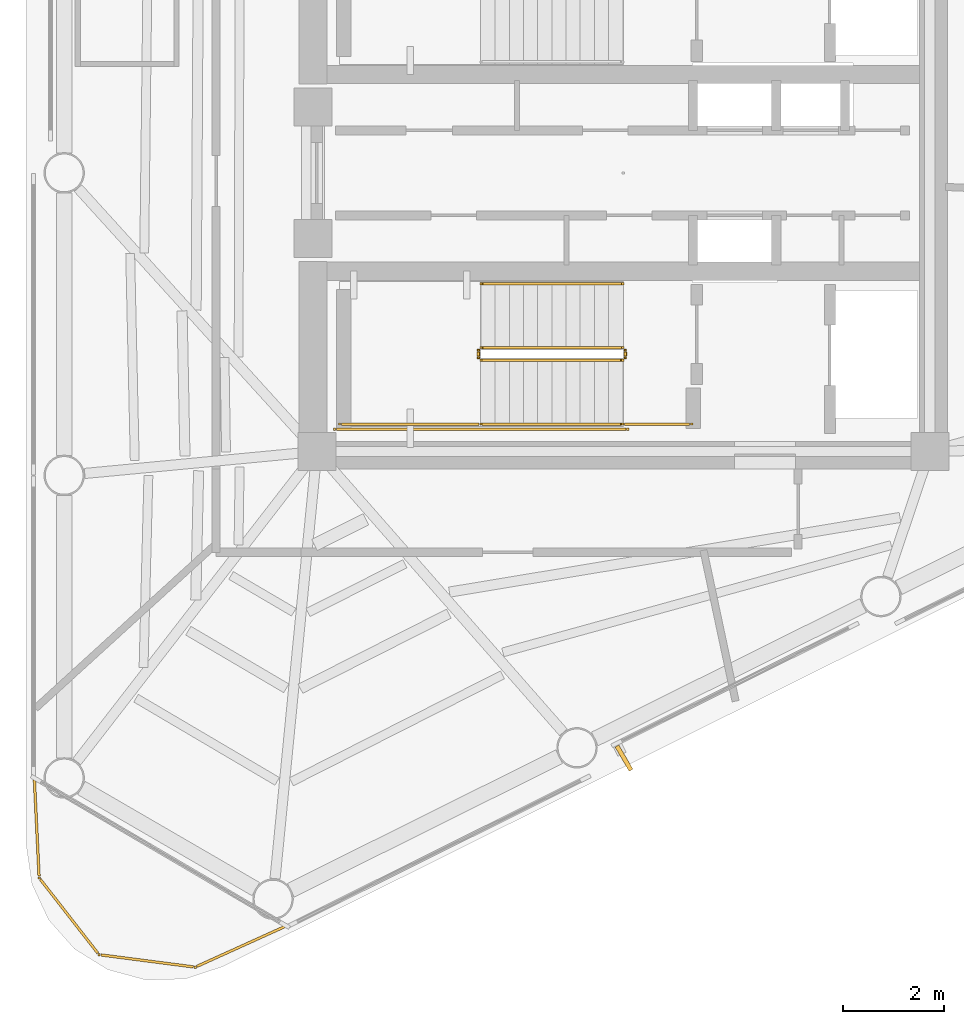
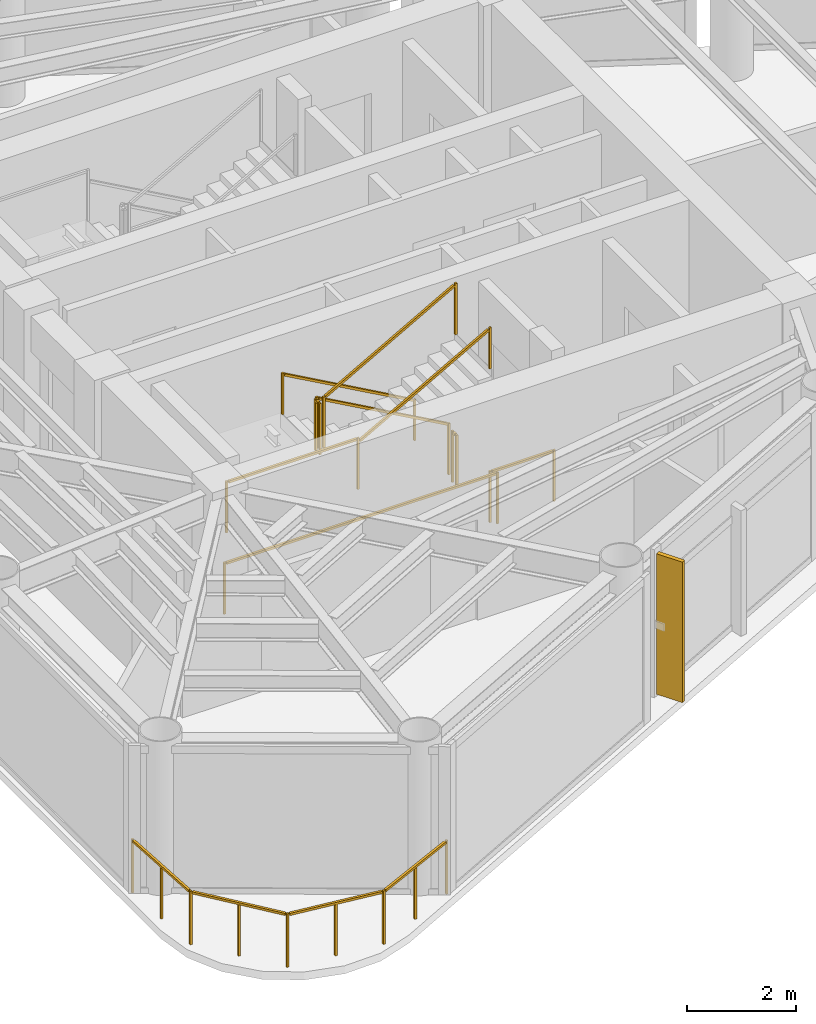
# One storey, part 7 of 10: 10 railings, 1 shading device.
"""IFC4 building model written with IfcOpenShell, lengths in metres."""

from ifc_helpers import new_model, si_unit, direction, frame, origin, origin_2d, place, context, subcontext, project, spatial, rectangle, extrude, source, transform, mapped, material, material_profile, profile_set, type_object, element, save


model = new_model("IFC4")

# Units and contexts
model_context = context("Model", 3, precision=1e-05, world=origin(), true_north=direction((0.0, 1.0)))
body_context = subcontext(model_context, "Body", "Model", "MODEL_VIEW")
ifc_project = project(units=[si_unit("LENGTHUNIT", "METRE"), si_unit("AREAUNIT", "SQUARE_METRE"), si_unit("VOLUMEUNIT", "CUBIC_METRE"), si_unit("PLANEANGLEUNIT", "RADIAN"), si_unit("MASSUNIT", "GRAM", prefix="KILO")], contexts=[model_context])

# Site, building, storey
site_placement = place(None, origin())
site = spatial("IfcSite", under=ifc_project, at=site_placement, CompositionType="ELEMENT")
building_placement = place(site_placement, origin())
building = spatial("IfcBuilding", under=site, at=building_placement, Name="Yunling Apex Tower", CompositionType="ELEMENT")
storey_placement = place(building_placement, frame((0.0, 0.0, 296.75)))
storey = spatial("IfcBuildingStorey", under=building, at=storey_placement, Name="L72", CompositionType="ELEMENT", Elevation=296.75)

# Railings
ifc_material_1 = material(Name="Bronze anodised aluminium", Category="aluminium")
railing_type_1 = type_object("IfcRailingType", Name="RL-BAL-1200", PredefinedType="BALUSTRADE", material=ifc_material_1)
railing_1_placement = place(storey_placement, frame((-6.651123046875, -14.864990234375, 0.0)))
element("IfcRailing", 1, at=railing_1_placement, inside=storey, type_object=railing_type_1, Name="RL-CRNSILL-L72-3", PredefinedType="BALUSTRADE", context=body_context, shape_type="SweptSolid", body=[
    extrude(rectangle(XDim=0.0439453125, YDim=0.0439453125, at=origin_2d()), origin(), (0.0, 0.0, 1.0), 1.199951171875),
    extrude(rectangle(XDim=0.0439453125, YDim=0.0439453125, at=origin_2d()), frame((-1.799560546875, -0.814697265625, 0.0)), (0.0, 0.0, 1.0), 1.199951171875),
    extrude(rectangle(XDim=0.050048828125, YDim=0.050048828125, at=origin_2d()), frame((-0.034912109375, -0.015869140625, 1.1748046875), z_axis=(-0.910991856267, -0.412424341929, 0.0), x_axis=(0.412424341929, -0.910991856267, 0.0)), (0.0, 0.0, 1.0), 1.898681640625),
    extrude(rectangle(XDim=0.0439453125, YDim=0.0439453125, at=origin_2d()), frame((-0.89990234375, -0.4072265625, 0.0)), (0.0, 0.0, 1.0), 1.14599609375),
    extrude(rectangle(XDim=0.0439453125, YDim=0.0439453125, at=origin_2d()), frame((-3.69921875, -0.568603515625, 0.0)), (0.0, 0.0, 1.0), 1.199951171875),
    extrude(rectangle(XDim=0.050048828125, YDim=0.050048828125, at=origin_2d()), frame((-1.837646484375, -0.809814453125, 1.1748046875), z_axis=(-0.991713034877, 0.128472784881, 0.0), x_axis=(-0.128472784881, -0.991713034877, 0.0)), (0.0, 0.0, 1.0), 1.8388671875),
    extrude(rectangle(XDim=0.0439453125, YDim=0.0439453125, at=origin_2d()), frame((-2.74951171875, -0.691650390625, 0.0)), (0.0, 0.0, 1.0), 1.14599609375),
    extrude(rectangle(XDim=0.0439453125, YDim=0.0439453125, at=origin_2d()), frame((-4.880126953125, 0.947265625, 0.0)), (0.0, 0.0, 1.0), 1.199951171875),
    extrude(rectangle(XDim=0.050048828125, YDim=0.050048828125, at=origin_2d()), frame((-3.72265625, -0.538330078125, 1.1748046875), z_axis=(-0.61455614591, 0.788873084548, 0.0), x_axis=(-0.788873084548, -0.61455614591, 0.0)), (0.0, 0.0, 1.0), 1.844970703125),
    extrude(rectangle(XDim=0.0439453125, YDim=0.0439453125, at=origin_2d()), frame((-4.28955078125, 0.189453125, 0.0)), (0.0, 0.0, 1.0), 1.14599609375),
    extrude(rectangle(XDim=0.0439453125, YDim=0.0439453125, at=origin_2d()), frame((-4.97607421875, 2.919677734375, 0.0)), (0.0, 0.0, 1.0), 1.199951171875),
    extrude(rectangle(XDim=0.050048828125, YDim=0.050048828125, at=origin_2d()), frame((-4.882080078125, 0.985595703125, 1.1748046875), z_axis=(-0.048587182269, 0.998818945415, 0.0), x_axis=(-0.998818945415, -0.048587182269, 0.0)), (0.0, 0.0, 1.0), 1.898193359375),
    extrude(rectangle(XDim=0.0439453125, YDim=0.0439453125, at=origin_2d()), frame((-4.92822265625, 1.93359375, 0.0)), (0.0, 0.0, 1.0), 1.14599609375),
])
ifc_material_2 = material(Name="Steel Q355B", Category="steel")
railing_type_2 = type_object("IfcRailingType", Name="RL-GRD-1150", PredefinedType="GUARDRAIL", material=ifc_material_2)
railing_2_placement = place(storey_placement, frame((-0.010009765625, -3.449951171875, 0.15673828125)))
element("IfcRailing", 2, at=railing_2_placement, inside=storey, type_object=railing_type_2, Name="L72 ST-2 stair guard 1", PredefinedType="GUARDRAIL", context=body_context, shape_type="SweptSolid", body=[
    extrude(rectangle(XDim=0.0439453125, YDim=0.0439453125, at=origin_2d()), origin(), (0.0, 0.0, 1.0), 1.14990234375),
    extrude(rectangle(XDim=0.0439453125, YDim=0.0439453125, at=origin_2d()), frame((-2.800048828125, 0.0, 1.568359375)), (0.0, 0.0, 1.0), 1.14990234375),
    extrude(rectangle(XDim=0.050048828125, YDim=0.050048828125, at=origin_2d()), frame((-0.033447265625, 0.0, 1.1435546875), z_axis=(-0.872461907711, 0.0, 0.488682125306), x_axis=(0.0, -1.0, 0.0)), (0.0, 0.0, 1.0), 3.1328125),
])
railing_3_placement = place(storey_placement, frame((-2.860107421875, -3.5, 1.72509765625)))
element("IfcRailing", 3, at=railing_3_placement, inside=storey, type_object=railing_type_2, Name="L72 ST-2 stair guard 2", PredefinedType="GUARDRAIL", context=body_context, shape_type="SweptSolid", body=[
    extrude(rectangle(XDim=0.0439453125, YDim=0.0439453125, at=origin_2d()), origin(), (0.0, 0.0, 1.0), 1.14990234375),
    extrude(rectangle(XDim=0.0439453125, YDim=0.0439453125, at=origin_2d()), frame((0.0, -0.14990234375, 0.0)), (0.0, 0.0, 1.0), 1.14990234375),
    extrude(rectangle(XDim=0.050048828125, YDim=0.050048828125, at=origin_2d()), frame((0.0, -0.038330078125, 1.125), z_axis=(0.0, -1.0, 0.0), x_axis=(1.0, 0.0, 0.0)), (0.0, 0.0, 1.0), 0.0732421875),
])
railing_4_placement = place(storey_placement, frame((-2.81005859375, -4.9599609375, 1.72509765625)))
element("IfcRailing", 4, at=railing_4_placement, inside=storey, type_object=railing_type_2, Name="L72 ST-2 stair guard 3", PredefinedType="GUARDRAIL", context=body_context, shape_type="SweptSolid", body=[
    extrude(rectangle(XDim=0.0439453125, YDim=0.0439453125, at=origin_2d()), origin(), (0.0, 0.0, 1.0), 1.14990234375),
    extrude(rectangle(XDim=0.0439453125, YDim=0.0439453125, at=origin_2d()), frame((-2.7900390625, 0.0, 0.0)), (0.0, 0.0, 1.0), 1.14990234375),
    extrude(rectangle(XDim=0.050048828125, YDim=0.050048828125, at=origin_2d()), frame((-0.038330078125, 0.0, 1.125), z_axis=(-1.0, 0.0, 0.0), x_axis=(0.0, -1.0, 0.0)), (0.0, 0.0, 1.0), 2.71337890625),
])
railing_5_placement = place(storey_placement, frame((-2.81005859375, -3.699951171875, 1.8818359375)))
element("IfcRailing", 5, at=railing_5_placement, inside=storey, type_object=railing_type_2, Name="L72 ST-2 stair guard 4", PredefinedType="GUARDRAIL", context=body_context, shape_type="SweptSolid", body=[
    extrude(rectangle(XDim=0.0439453125, YDim=0.0439453125, at=origin_2d()), origin(), (0.0, 0.0, 1.0), 1.14990234375),
    extrude(rectangle(XDim=0.0439453125, YDim=0.0439453125, at=origin_2d()), frame((2.800048828125, 0.0, 1.568115234375)), (0.0, 0.0, 1.0), 1.14990234375),
    extrude(rectangle(XDim=0.050048828125, YDim=0.050048828125, at=origin_2d()), frame((0.033447265625, 0.0, 1.1435546875), z_axis=(0.872494340497, 0.0, 0.48862421737), x_axis=(0.0, 1.0, 0.0)), (0.0, 0.0, 1.0), 3.132568359375),
])
railing_6_placement = place(storey_placement, frame((0.0400390625, -3.5, 0.0)))
element("IfcRailing", 6, at=railing_6_placement, inside=storey, type_object=railing_type_2, Name="L72 ST-2 stair guard 5", PredefinedType="GUARDRAIL", context=body_context, shape_type="SweptSolid", body=[
    extrude(rectangle(XDim=0.0439453125, YDim=0.0439453125, at=origin_2d()), origin(), (0.0, 0.0, 1.0), 1.14990234375),
    extrude(rectangle(XDim=0.0439453125, YDim=0.0439453125, at=origin_2d()), frame((0.0, -0.14990234375, 0.0)), (0.0, 0.0, 1.0), 1.14990234375),
    extrude(rectangle(XDim=0.050048828125, YDim=0.050048828125, at=origin_2d()), frame((0.0, -0.038330078125, 1.125), z_axis=(0.0, -1.0, 0.0), x_axis=(1.0, 0.0, 0.0)), (0.0, 0.0, 1.0), 0.0732421875),
])
railing_7_placement = place(storey_placement, frame((1.35009765625, -4.9599609375, 0.0)))
element("IfcRailing", 7, at=railing_7_placement, inside=storey, type_object=railing_type_2, Name="L72 ST-2 stair guard 6", PredefinedType="GUARDRAIL", context=body_context, shape_type="SweptSolid", body=[
    extrude(rectangle(XDim=0.0439453125, YDim=0.0439453125, at=origin_2d()), origin(), (0.0, 0.0, 1.0), 1.14990234375),
    extrude(rectangle(XDim=0.0439453125, YDim=0.0439453125, at=origin_2d()), frame((-1.360107421875, 0.0, 0.0)), (0.0, 0.0, 1.0), 1.14990234375),
    extrude(rectangle(XDim=0.050048828125, YDim=0.050048828125, at=origin_2d()), frame((-0.038330078125, 0.0, 1.125), z_axis=(-1.0, 0.0, 0.0), x_axis=(0.0, -1.0, 0.0)), (0.0, 0.0, 1.0), 1.283447265625),
])
railing_8_placement = place(storey_placement, frame((0.090087890625, -5.06005859375, 0.0)))
element("IfcRailing", 8, at=railing_8_placement, inside=storey, type_object=railing_type_2, Name="L72 ST-2 stair guard 7", PredefinedType="GUARDRAIL", context=body_context, shape_type="SweptSolid", body=[
    extrude(rectangle(XDim=0.0439453125, YDim=0.0439453125, at=origin_2d()), origin(), (0.0, 0.0, 1.0), 1.14990234375),
    extrude(rectangle(XDim=0.0439453125, YDim=0.0439453125, at=origin_2d()), frame((-5.7900390625, 0.0, 0.0)), (0.0, 0.0, 1.0), 1.14990234375),
    extrude(rectangle(XDim=0.050048828125, YDim=0.050048828125, at=origin_2d()), frame((-0.038330078125, 0.0, 1.125), z_axis=(-1.0, 0.0, 0.0), x_axis=(0.0, -1.0, 0.0)), (0.0, 0.0, 1.0), 5.71337890625),
])
ifc_material_3 = material(Name="Silver anodised aluminium", Category="aluminium")
railing_type_3 = type_object("IfcRailingType", Name="RL-HND-900", PredefinedType="HANDRAIL", material=ifc_material_3)
railing_9_placement = place(storey_placement, frame((-0.010009765625, -2.18994140625, 0.15673828125)))
element("IfcRailing", 9, at=railing_9_placement, inside=storey, type_object=railing_type_3, Name="L72 ST-2 stair handrail 1", PredefinedType="HANDRAIL", context=body_context, shape_type="SweptSolid", body=[
    extrude(rectangle(XDim=0.0439453125, YDim=0.0439453125, at=origin_2d()), origin(), (0.0, 0.0, 1.0), 0.919921875),
    extrude(rectangle(XDim=0.0439453125, YDim=0.0439453125, at=origin_2d()), frame((-2.800048828125, 0.0, 1.568359375)), (0.0, 0.0, 1.0), 0.919921875),
    extrude(rectangle(XDim=0.050048828125, YDim=0.050048828125, at=origin_2d()), frame((-0.033447265625, 0.0, 0.91357421875), z_axis=(-0.872461907711, 0.0, 0.488682125306), x_axis=(0.0, -1.0, 0.0)), (0.0, 0.0, 1.0), 3.1328125),
])
railing_10_placement = place(storey_placement, frame((-2.81005859375, -4.9599609375, 1.8818359375)))
element("IfcRailing", 10, at=railing_10_placement, inside=storey, type_object=railing_type_3, Name="L72 ST-2 stair handrail 2", PredefinedType="HANDRAIL", context=body_context, shape_type="SweptSolid", body=[
    extrude(rectangle(XDim=0.0439453125, YDim=0.0439453125, at=origin_2d()), origin(), (0.0, 0.0, 1.0), 0.919921875),
    extrude(rectangle(XDim=0.0439453125, YDim=0.0439453125, at=origin_2d()), frame((2.800048828125, 0.0, 1.568115234375)), (0.0, 0.0, 1.0), 0.919921875),
    extrude(rectangle(XDim=0.050048828125, YDim=0.050048828125, at=origin_2d()), frame((0.033447265625, 0.0, 0.91357421875), z_axis=(0.872494340497, 0.0, 0.48862421737), x_axis=(0.0, 1.0, 0.0)), (0.0, 0.0, 1.0), 3.132568359375),
])

# Shading device
ifc_material_profile = material_profile(ifc_material_1, rectangle(XDim=0.0849609375, YDim=0.550048828125, at=origin_2d()))
ifc_profile_set = profile_set([ifc_material_profile], Name="Bronze anodised aluminium")
shading_device_type = type_object("IfcShadingDeviceType", Name="FN-BRZ-3", PredefinedType="USERDEFINED", material=ifc_profile_set)
shared_shape = source(origin(), body_context, "Body", "SweptSolid", [
    extrude(rectangle(XDim=0.0849609375, YDim=0.550048828125, at=origin_2d()), origin(), (0.0, 0.0, 1.0), 3.14990234375),
])
shading_device_placement = place(storey_placement, frame((0.013671875, -11.553466796875, 0.06005859375), z_axis=(0.0, 0.0, 1.0), x_axis=(0.864186995248, 0.503170783377, 0.0)))
element("IfcShadingDevice", 11, at=shading_device_placement, inside=storey, type_object=shading_device_type, Name="CW-L72-F1-B2-FIN-01", ObjectType="FIN", PredefinedType="USERDEFINED", context=body_context, shape_type="MappedRepresentation", body=[
    mapped(shared_shape, transform((0.0, 0.0, 0.0), scale=1.0)),
])

save(model, "model.ifc")
